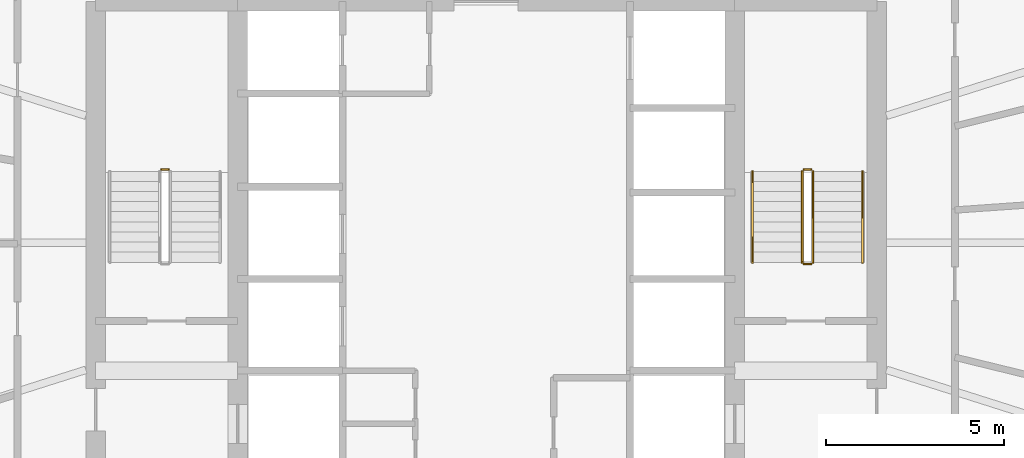
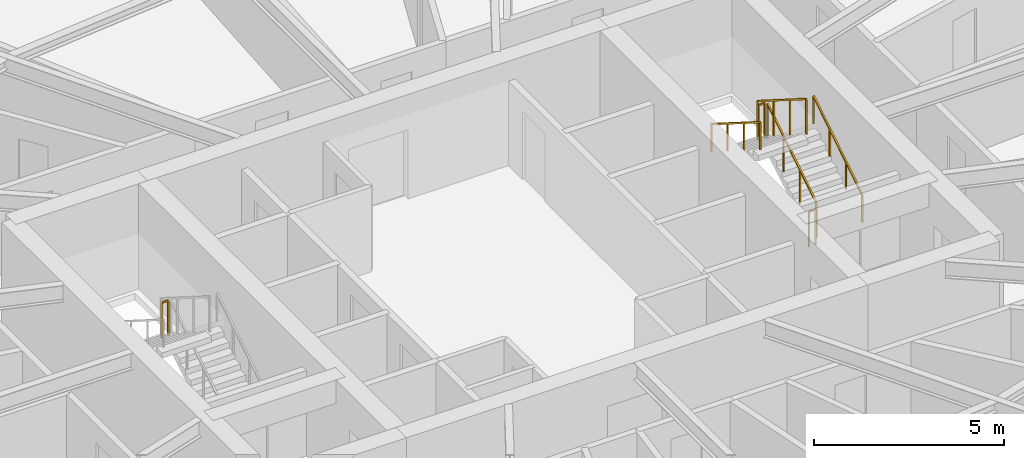
# One storey, part 24 of 24: 7 railings.
"""IFC4 building model written with IfcOpenShell, lengths in metres."""

from ifc_helpers import new_model, si_unit, direction, frame, origin, origin_2d, place, context, subcontext, project, spatial, rectangle, extrude, material, type_object, element, save


model = new_model("IFC4")

# Units and contexts
model_context = context("Model", 3, precision=1e-05, world=origin(), true_north=direction((0.0, 1.0)))
body_context = subcontext(model_context, "Body", "Model", "MODEL_VIEW")
ifc_project = project(units=[si_unit("LENGTHUNIT", "METRE"), si_unit("AREAUNIT", "SQUARE_METRE"), si_unit("VOLUMEUNIT", "CUBIC_METRE"), si_unit("PLANEANGLEUNIT", "RADIAN"), si_unit("MASSUNIT", "GRAM", prefix="KILO")], contexts=[model_context])

# Site, building, storey
site_placement = place(None, origin())
site = spatial("IfcSite", under=ifc_project, at=site_placement, CompositionType="ELEMENT")
building_placement = place(site_placement, origin())
building = spatial("IfcBuilding", under=site, at=building_placement, Name="Sarneth Arch Tower", CompositionType="ELEMENT")
storey_placement = place(building_placement, frame((0.0, 0.0, 87.60009765625)))
storey = spatial("IfcBuildingStorey", under=building, at=storey_placement, Name="L21", CompositionType="ELEMENT", Elevation=87.60009765625)

# Railings
ifc_material_1 = material(Name="Brushed Stainless Steel 304 tubular handrail", Category="steel")
railing_type_1 = type_object("IfcRailingType", Name="RAIL-HANDRAIL-900", PredefinedType="HANDRAIL", material=ifc_material_1)
railing_1_placement = place(storey_placement, frame((58.60009765625, 41.449951171875, 0.179931640625)))
element("IfcRailing", 1, at=railing_1_placement, inside=storey, type_object=railing_type_1, Name="L21 ST-2 stair handrail 1", PredefinedType="HANDRAIL", context=body_context, shape_type="SweptSolid", body=[
    extrude(rectangle(XDim=0.048095703125, YDim=0.048095703125, at=origin_2d()), frame((0.0, 0.0, 0.8759765625), z_axis=(0.0, 0.845502289212, 0.533971796014), x_axis=(-1.0, 0.0, 0.0)), (0.0, 0.0, 1.0), 3.03369140625),
    extrude(rectangle(XDim=0.0419921875, YDim=0.0419921875, at=origin_2d()), origin(), (0.0, 0.0, 1.0), 0.851806640625),
    extrude(rectangle(XDim=0.0419921875, YDim=0.0419921875, at=origin_2d()), frame((0.0, 0.85498046875, 0.5400390625)), (0.0, 0.0, 1.0), 0.851806640625),
    extrude(rectangle(XDim=0.0419921875, YDim=0.0419921875, at=origin_2d()), frame((0.0, 1.7099609375, 1.079833984375)), (0.0, 0.0, 1.0), 0.851806640625),
    extrude(rectangle(XDim=0.0419921875, YDim=0.0419921875, at=origin_2d()), frame((0.0, 2.56494140625, 1.619873046875)), (0.0, 0.0, 1.0), 0.851806640625),
])
railing_2_placement = place(storey_placement, frame((55.5, 44.014892578125, 1.97998046875)))
element("IfcRailing", 2, at=railing_2_placement, inside=storey, type_object=railing_type_1, Name="L21 ST-2 stair handrail 2", PredefinedType="HANDRAIL", context=body_context, shape_type="SweptSolid", body=[
    extrude(rectangle(XDim=0.048095703125, YDim=0.048095703125, at=origin_2d()), frame((0.0, 0.0, 0.8759765625), z_axis=(0.0, -0.845502289212, 0.533971796014), x_axis=(1.0, 0.0, 0.0)), (0.0, 0.0, 1.0), 3.03369140625),
    extrude(rectangle(XDim=0.0419921875, YDim=0.0419921875, at=origin_2d()), origin(), (0.0, 0.0, 1.0), 0.851806640625),
    extrude(rectangle(XDim=0.0419921875, YDim=0.0419921875, at=origin_2d()), frame((0.0, -0.85498046875, 0.5400390625)), (0.0, 0.0, 1.0), 0.851806640625),
    extrude(rectangle(XDim=0.0419921875, YDim=0.0419921875, at=origin_2d()), frame((0.0, -1.7099609375, 1.079833984375)), (0.0, 0.0, 1.0), 0.851806640625),
    extrude(rectangle(XDim=0.0419921875, YDim=0.0419921875, at=origin_2d()), frame((0.0, -2.56494140625, 1.619873046875)), (0.0, 0.0, 1.0), 0.851806640625),
])
ifc_material_2 = material(Name="Painted Steel S275 stair well guard", Category="steel")
railing_type_2 = type_object("IfcRailingType", Name="RAIL-STAIR-GUARD", PredefinedType="GUARDRAIL", material=ifc_material_2)
railing_3_placement = place(storey_placement, frame((39.050048828125, 44.06494140625, 1.7998046875)))
element("IfcRailing", 3, at=railing_3_placement, inside=storey, type_object=railing_type_2, Name="L21 ST-1 stair guard 2", PredefinedType="GUARDRAIL", context=body_context, shape_type="SweptSolid", body=[
    extrude(rectangle(XDim=0.048095703125, YDim=0.048095703125, at=origin_2d()), frame((0.0, 0.0, 1.1259765625), z_axis=(-1.0, 0.0, 0.0), x_axis=(0.0, -1.0, 0.0)), (0.0, 0.0, 1.0), 0.199951171875),
    extrude(rectangle(XDim=0.0419921875, YDim=0.0419921875, at=origin_2d()), origin(), (0.0, 0.0, 1.0), 1.101806640625),
    extrude(rectangle(XDim=0.0419921875, YDim=0.0419921875, at=origin_2d()), frame((-0.199951171875, 0.0, 0.0)), (0.0, 0.0, 1.0), 1.101806640625),
])
railing_4_placement = place(storey_placement, frame((57.199951171875, 41.449951171875, 0.179931640625)))
element("IfcRailing", 4, at=railing_4_placement, inside=storey, type_object=railing_type_2, Name="L21 ST-2 stair guard 1", PredefinedType="GUARDRAIL", context=body_context, shape_type="SweptSolid", body=[
    extrude(rectangle(XDim=0.048095703125, YDim=0.048095703125, at=origin_2d()), frame((0.0, 0.0, 1.1259765625), z_axis=(0.0, 0.845502289212, 0.533971796014), x_axis=(-1.0, 0.0, 0.0)), (0.0, 0.0, 1.0), 3.03369140625),
    extrude(rectangle(XDim=0.0419921875, YDim=0.0419921875, at=origin_2d()), origin(), (0.0, 0.0, 1.0), 1.101806640625),
    extrude(rectangle(XDim=0.0419921875, YDim=0.0419921875, at=origin_2d()), frame((0.0, 0.85498046875, 0.5400390625)), (0.0, 0.0, 1.0), 1.101806640625),
    extrude(rectangle(XDim=0.0419921875, YDim=0.0419921875, at=origin_2d()), frame((0.0, 1.7099609375, 1.079833984375)), (0.0, 0.0, 1.0), 1.101806640625),
    extrude(rectangle(XDim=0.0419921875, YDim=0.0419921875, at=origin_2d()), frame((0.0, 2.56494140625, 1.619873046875)), (0.0, 0.0, 1.0), 1.101806640625),
])
railing_5_placement = place(storey_placement, frame((57.14990234375, 44.06494140625, 1.7998046875)))
element("IfcRailing", 5, at=railing_5_placement, inside=storey, type_object=railing_type_2, Name="L21 ST-2 stair guard 2", PredefinedType="GUARDRAIL", context=body_context, shape_type="SweptSolid", body=[
    extrude(rectangle(XDim=0.048095703125, YDim=0.048095703125, at=origin_2d()), frame((0.0, 0.0, 1.1259765625), z_axis=(-1.0, 0.0, 0.0), x_axis=(0.0, -1.0, 0.0)), (0.0, 0.0, 1.0), 0.199951171875),
    extrude(rectangle(XDim=0.0419921875, YDim=0.0419921875, at=origin_2d()), origin(), (0.0, 0.0, 1.0), 1.101806640625),
    extrude(rectangle(XDim=0.0419921875, YDim=0.0419921875, at=origin_2d()), frame((-0.199951171875, 0.0, 0.0)), (0.0, 0.0, 1.0), 1.101806640625),
])
railing_6_placement = place(storey_placement, frame((56.89990234375, 44.014892578125, 1.97998046875)))
element("IfcRailing", 6, at=railing_6_placement, inside=storey, type_object=railing_type_2, Name="L21 ST-2 stair guard 3", PredefinedType="GUARDRAIL", context=body_context, shape_type="SweptSolid", body=[
    extrude(rectangle(XDim=0.048095703125, YDim=0.048095703125, at=origin_2d()), frame((0.0, 0.0, 1.1259765625), z_axis=(0.0, -0.845502289212, 0.533971796014), x_axis=(1.0, 0.0, 0.0)), (0.0, 0.0, 1.0), 3.03369140625),
    extrude(rectangle(XDim=0.0419921875, YDim=0.0419921875, at=origin_2d()), origin(), (0.0, 0.0, 1.0), 1.101806640625),
    extrude(rectangle(XDim=0.0419921875, YDim=0.0419921875, at=origin_2d()), frame((0.0, -0.85498046875, 0.5400390625)), (0.0, 0.0, 1.0), 1.101806640625),
    extrude(rectangle(XDim=0.0419921875, YDim=0.0419921875, at=origin_2d()), frame((0.0, -1.7099609375, 1.079833984375)), (0.0, 0.0, 1.0), 1.101806640625),
    extrude(rectangle(XDim=0.0419921875, YDim=0.0419921875, at=origin_2d()), frame((0.0, -2.56494140625, 1.619873046875)), (0.0, 0.0, 1.0), 1.101806640625),
])
railing_7_placement = place(storey_placement, frame((57.14990234375, 41.39990234375, 0.0)))
element("IfcRailing", 7, at=railing_7_placement, inside=storey, type_object=railing_type_2, Name="L21 ST-2 stair guard 4", PredefinedType="GUARDRAIL", context=body_context, shape_type="SweptSolid", body=[
    extrude(rectangle(XDim=0.048095703125, YDim=0.048095703125, at=origin_2d()), frame((0.0, 0.0, 1.1259765625), z_axis=(-1.0, 0.0, 0.0), x_axis=(0.0, -1.0, 0.0)), (0.0, 0.0, 1.0), 0.199951171875),
    extrude(rectangle(XDim=0.0419921875, YDim=0.0419921875, at=origin_2d()), origin(), (0.0, 0.0, 1.0), 1.101806640625),
    extrude(rectangle(XDim=0.0419921875, YDim=0.0419921875, at=origin_2d()), frame((-0.199951171875, 0.0, 0.0)), (0.0, 0.0, 1.0), 1.101806640625),
])

save(model, "model.ifc")
